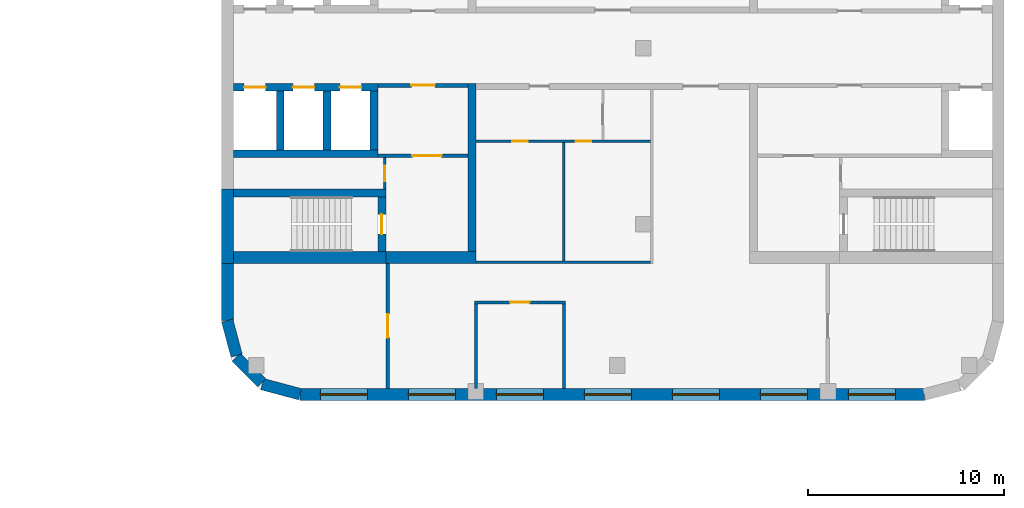
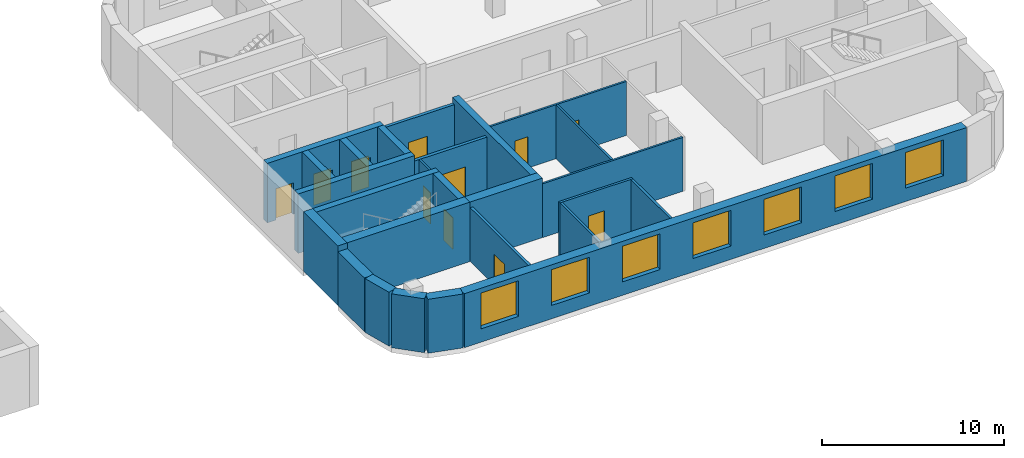
# One storey, part 7 of 16: 26 walls, 11 doors, 7 windows, 18 openings.
"""IFC4 building model written with IfcOpenShell, lengths in metres."""

from ifc_helpers import new_model, si_unit, direction, frame, frame_2d, origin, place, context, subcontext, project, spatial, rectangle, extrude, material, layer, layer_set, type_object, element, fill, save


model = new_model("IFC4")

# Units and contexts
model_context = context("Model", 3, precision=1e-05, world=origin(), true_north=direction((0.0, 1.0)))
body_context = subcontext(model_context, "Body", "Model", "MODEL_VIEW")
ifc_project = project(units=[si_unit("LENGTHUNIT", "METRE"), si_unit("AREAUNIT", "SQUARE_METRE"), si_unit("VOLUMEUNIT", "CUBIC_METRE"), si_unit("PLANEANGLEUNIT", "RADIAN"), si_unit("MASSUNIT", "GRAM", prefix="KILO")], contexts=[model_context])

# Site, building, storey
site_placement = place(None, origin())
site = spatial("IfcSite", under=ifc_project, at=site_placement, CompositionType="ELEMENT")
building_placement = place(site_placement, origin())
building = spatial("IfcBuilding", under=site, at=building_placement, Name="Skarvind Civic Tower", CompositionType="ELEMENT")
storey_placement = place(building_placement, frame((0.0, 0.0, 43.5)))
storey = spatial("IfcBuildingStorey", under=building, at=storey_placement, Name="L09", CompositionType="ELEMENT", Elevation=43.5)

# Wall, opening, door
ifc_material_1 = material(Name="Acoustic gypsum board on steel studs", Category="steel")
ifc_layer_1 = layer(ifc_material_1, 0.175048828125)
ifc_layer_set_1 = layer_set([ifc_layer_1], Name="ACOUSTIC MEETING-ROOM PARTITION 175")
wall_type_1 = type_object("IfcWallType", Name="ACOUSTIC MEETING-ROOM PARTITION 175", PredefinedType="PARTITIONING", material=ifc_layer_set_1)
wall_1_placement = place(storey_placement, frame((135.5, 117.0, 0.0), z_axis=(0.0, 0.0, 1.0), x_axis=(0.0, -1.0, 0.0)))
wall_1 = element("IfcWall", 1, at=wall_1_placement, inside=storey, type_object=wall_type_1, Name="Partition 09.001", PredefinedType="PARTITIONING", context=body_context, shape_type="SweptSolid", body=[
    extrude(rectangle(XDim=6.39990234375, YDim=0.175048828125, at=frame_2d((3.199951171875, 0.0))), origin(), (0.0, 0.0, 1.0), 3.625),
])
opening_1_placement = place(wall_1_placement, frame((2.60009765625, 0.0, 0.0)))
opening_1 = element("IfcOpeningElement", 2, at=opening_1_placement, cuts=wall_1, Name="Opening L09-D111", PredefinedType="OPENING", context=body_context, shape_type="SweptSolid", body=[
    extrude(rectangle(XDim=1.199951171875, YDim=2.10009765625, at=frame_2d((0.60009765625, 1.050048828125))), frame((0.0, 0.097412109375, 0.0), z_axis=(0.0, -1.0, 0.0), x_axis=(1.0, 0.0, 0.0)), (0.0, 0.0, 1.0), 0.195068359375),
])
ifc_material_2 = material(Name="Timber door leaf", Category="wood")
door_type_1 = type_object("IfcDoorType", Name="DOOR 1200X2100 DOUBLE TIMBER", OperationType="NOTDEFINED", PredefinedType="DOOR", material=ifc_material_2)
door_1_placement = place(opening_1_placement, origin())
door_1 = element("IfcDoor", 3, at=door_1_placement, inside=storey, type_object=door_type_1, Name="Door L09-D111", OperationType="DOUBLE_DOOR_SINGLE_SWING", OverallHeight=2.10009765625, OverallWidth=1.199951171875, PredefinedType="DOOR", context=body_context, shape_type="SweptSolid", body=[
    extrude(rectangle(XDim=1.199951171875, YDim=2.10009765625, at=frame_2d((0.60009765625, 1.050048828125))), frame((0.0, 0.02490234375, 0.0), z_axis=(0.0, -1.0, 0.0), x_axis=(1.0, 0.0, 0.0)), (0.0, 0.0, 1.0), 0.050048828125),
])
fill(opening_1, door_1)

ifc_material_3 = material(Name="Fire-rated masonry partition", Category="masonry")
ifc_layer_2 = layer(ifc_material_3, 0.199951171875)
ifc_layer_set_2 = layer_set([ifc_layer_2], Name="Core enclosure wall 200")
wall_type_2 = type_object("IfcWallType", Name="Core enclosure wall 200", PredefinedType="PARTITIONING", material=ifc_layer_set_2)
wall_2_placement = place(storey_placement, frame((139.60009765625, 126.10009765625, 0.0), z_axis=(0.0, 0.0, 1.0), x_axis=(-1.0, 0.0, 0.0)))
wall_2 = element("IfcWall", 4, at=wall_2_placement, inside=storey, type_object=wall_type_2, Name="Core wall CA", PredefinedType="PARTITIONING", context=body_context, shape_type="SweptSolid", body=[
    extrude(rectangle(XDim=4.60009765625, YDim=0.199951171875, at=frame_2d((2.300048828125, 0.0))), origin(), (0.0, 0.0, 1.0), 3.625),
])
opening_2_placement = place(wall_2_placement, frame((1.699951171875, 0.0, 0.0)))
opening_2 = element("IfcOpeningElement", 5, at=opening_2_placement, cuts=wall_2, Name="Opening D-L09-CA-10", PredefinedType="OPENING", context=body_context, shape_type="SweptSolid", body=[
    extrude(rectangle(XDim=1.199951171875, YDim=2.10009765625, at=frame_2d((0.60009765625, 1.050048828125))), frame((0.0, 0.10986328125, 0.0), z_axis=(0.0, -1.0, 0.0), x_axis=(1.0, 0.0, 0.0)), (0.0, 0.0, 1.0), 0.219970703125),
])
ifc_material_4 = material(Name="Fire-rated steel door", Category="steel")
door_type_2 = type_object("IfcDoorType", Name="Core lobby door 1200", OperationType="NOTDEFINED", PredefinedType="DOOR", material=ifc_material_4)
door_2_placement = place(opening_2_placement, origin())
door_2 = element("IfcDoor", 6, at=door_2_placement, inside=storey, type_object=door_type_2, Name="Fire door", OperationType="DOUBLE_DOOR_SINGLE_SWING", OverallHeight=2.10009765625, OverallWidth=1.199951171875, PredefinedType="DOOR", context=body_context, shape_type="SweptSolid", body=[
    extrude(rectangle(XDim=1.199951171875, YDim=2.10009765625, at=frame_2d((0.60009765625, 1.050048828125))), frame((0.0, 0.02490234375, 0.0), z_axis=(0.0, -1.0, 0.0), x_axis=(1.0, 0.0, 0.0)), (0.0, 0.0, 1.0), 0.050048828125),
])
fill(opening_2, door_2)

wall_3_placement = place(storey_placement, frame((139.60009765625, 122.5, 0.0), z_axis=(0.0, 0.0, 1.0), x_axis=(-1.0, 0.0, 0.0)))
wall_3 = element("IfcWall", 7, at=wall_3_placement, inside=storey, type_object=wall_type_2, Name="Core wall CA", PredefinedType="PARTITIONING", context=body_context, shape_type="SweptSolid", body=[
    extrude(rectangle(XDim=4.60009765625, YDim=0.199951171875, at=frame_2d((2.300048828125, 0.0))), origin(), (0.0, 0.0, 1.0), 3.625),
])
opening_3_placement = place(wall_3_placement, frame((1.35009765625, 0.0, 0.0)))
opening_3 = element("IfcOpeningElement", 8, at=opening_3_placement, cuts=wall_3, Name="Opening D-L09-CA-11", PredefinedType="OPENING", context=body_context, shape_type="SweptSolid", body=[
    extrude(rectangle(XDim=1.5, YDim=2.10009765625, at=frame_2d((0.75, 1.050048828125))), frame((0.0, 0.10986328125, 0.0), z_axis=(0.0, -1.0, 0.0), x_axis=(1.0, 0.0, 0.0)), (0.0, 0.0, 1.0), 0.219970703125),
])
door_type_3 = type_object("IfcDoorType", Name="Fire door 1500", OperationType="NOTDEFINED", PredefinedType="DOOR", material=ifc_material_4)
door_3_placement = place(opening_3_placement, origin())
door_3 = element("IfcDoor", 9, at=door_3_placement, inside=storey, type_object=door_type_3, Name="Fire door", OperationType="DOUBLE_DOOR_SINGLE_SWING", OverallHeight=2.10009765625, OverallWidth=1.5, PredefinedType="DOOR", context=body_context, shape_type="SweptSolid", body=[
    extrude(rectangle(XDim=1.5, YDim=2.10009765625, at=frame_2d((0.75, 1.050048828125))), frame((0.0, 0.02490234375, 0.0), z_axis=(0.0, -1.0, 0.0), x_axis=(1.0, 0.0, 0.0)), (0.0, 0.0, 1.0), 0.050048828125),
])
fill(opening_3, door_3)

# Wall
ifc_material_5 = material(Name="Concrete C80", Category="concrete")
ifc_layer_3 = layer(ifc_material_5, 0.39990234375)
ifc_layer_set_3 = layer_set([ifc_layer_3], Name="Core wall 400 C80")
wall_type_3 = type_object("IfcWallType", Name="Core wall 400 C80", PredefinedType="SHEAR", material=ifc_layer_set_3)
wall_4_placement = place(storey_placement, frame((127.60009765625, 120.60009765625, 0.0), z_axis=(0.0, 0.0, 1.0), x_axis=(1.0, 0.0, 0.0)))
element("IfcWall", 10, at=wall_4_placement, inside=storey, type_object=wall_type_3, Name="Core wall CA south stair inner L09", PredefinedType="SHEAR", context=body_context, shape_type="SweptSolid", body=[
    extrude(rectangle(XDim=7.7998046875, YDim=0.39990234375, at=frame_2d((3.89990234375, 0.0))), origin(), (0.0, 0.0, 1.0), 4.0),
])

# Wall, opening, door
wall_5_placement = place(storey_placement, frame((135.199951171875, 117.60009765625, 0.0), z_axis=(0.0, 0.0, 1.0), x_axis=(0.0, 1.0, 0.0)))
wall_5 = element("IfcWall", 11, at=wall_5_placement, inside=storey, type_object=wall_type_3, Name="Core wall CA south stair end L09", PredefinedType="SHEAR", context=body_context, shape_type="SweptSolid", body=[
    extrude(rectangle(XDim=2.7998046875, YDim=0.39990234375, at=frame_2d((1.39990234375, 0.0))), origin(), (0.0, 0.0, 1.0), 4.0),
])
opening_4_placement = place(wall_5_placement, frame((0.89990234375, 0.0, 0.0)))
opening_4 = element("IfcOpeningElement", 12, at=opening_4_placement, cuts=wall_5, Name="Opening D-L09-CA-12", PredefinedType="OPENING", context=body_context, shape_type="SweptSolid", body=[
    extrude(rectangle(XDim=1.0, YDim=2.10009765625, at=frame_2d((0.5, 1.050048828125))), frame((0.0, 0.2099609375, 0.0), z_axis=(0.0, -1.0, 0.0), x_axis=(1.0, 0.0, 0.0)), (0.0, 0.0, 1.0), 0.419921875),
])
door_type_4 = type_object("IfcDoorType", Name="Fire door 1000", OperationType="NOTDEFINED", PredefinedType="DOOR", material=ifc_material_4)
door_4_placement = place(opening_4_placement, origin())
door_4 = element("IfcDoor", 13, at=door_4_placement, inside=storey, type_object=door_type_4, Name="Fire door", OperationType="SINGLE_SWING_RIGHT", OverallHeight=2.10009765625, OverallWidth=1.0, PredefinedType="DOOR", context=body_context, shape_type="SweptSolid", body=[
    extrude(rectangle(XDim=1.0, YDim=2.10009765625, at=frame_2d((0.5, 1.050048828125))), frame((0.0, 0.02490234375, 0.0), z_axis=(0.0, -1.0, 0.0), x_axis=(1.0, 0.0, 0.0)), (0.0, 0.0, 1.0), 0.050048828125),
])
fill(opening_4, door_4)

# Wall, openings, doors
wall_6_placement = place(storey_placement, frame((127.60009765625, 126.0, 0.0), z_axis=(0.0, 0.0, 1.0), x_axis=(1.0, 0.0, 0.0)))
wall_6 = element("IfcWall", 14, at=wall_6_placement, inside=storey, type_object=wall_type_3, Name="Core wall CA south lift row front L09", PredefinedType="SHEAR", context=body_context, shape_type="SweptSolid", body=[
    extrude(rectangle(XDim=7.39990234375, YDim=0.39990234375, at=frame_2d((3.699951171875, 0.0))), origin(), (0.0, 0.0, 1.0), 4.0),
])
opening_5_placement = place(wall_6_placement, frame((0.550048828125, 0.0, 0.0)))
opening_5 = element("IfcOpeningElement", 15, at=opening_5_placement, cuts=wall_6, Name="Opening LD11304", PredefinedType="OPENING", context=body_context, shape_type="SweptSolid", body=[
    extrude(rectangle(XDim=1.10009765625, YDim=2.10009765625, at=frame_2d((0.550048828125, 1.050048828125))), frame((0.0, 0.2099609375, 0.0), z_axis=(0.0, -1.0, 0.0), x_axis=(1.0, 0.0, 0.0)), (0.0, 0.0, 1.0), 0.419921875),
])
opening_6_placement = place(wall_6_placement, frame((3.050048828125, 0.0, 0.0)))
opening_6 = element("IfcOpeningElement", 16, at=opening_6_placement, cuts=wall_6, Name="Opening LD11305", PredefinedType="OPENING", context=body_context, shape_type="SweptSolid", body=[
    extrude(rectangle(XDim=1.10009765625, YDim=2.10009765625, at=frame_2d((0.550048828125, 1.050048828125))), frame((0.0, 0.2099609375, 0.0), z_axis=(0.0, -1.0, 0.0), x_axis=(1.0, 0.0, 0.0)), (0.0, 0.0, 1.0), 0.419921875),
])
opening_7_placement = place(wall_6_placement, frame((5.449951171875, 0.0, 0.0)))
opening_7 = element("IfcOpeningElement", 17, at=opening_7_placement, cuts=wall_6, Name="Opening LD11306", PredefinedType="OPENING", context=body_context, shape_type="SweptSolid", body=[
    extrude(rectangle(XDim=1.10009765625, YDim=2.10009765625, at=frame_2d((0.550048828125, 1.050048828125))), frame((0.0, 0.2099609375, 0.0), z_axis=(0.0, -1.0, 0.0), x_axis=(1.0, 0.0, 0.0)), (0.0, 0.0, 1.0), 0.419921875),
])
ifc_material_6 = material(Name="Stainless steel landing door", Category="steel")
door_type_5 = type_object("IfcDoorType", Name="Lift landing door 1100", OperationType="DOUBLE_DOOR_SLIDING", PredefinedType="DOOR", material=ifc_material_6)
door_5_placement = place(opening_5_placement, origin())
door_5 = element("IfcDoor", 18, at=door_5_placement, inside=storey, type_object=door_type_5, Name="Lift landing door", OperationType="DOUBLE_DOOR_SLIDING", OverallHeight=2.10009765625, OverallWidth=1.10009765625, PredefinedType="DOOR", context=body_context, shape_type="SweptSolid", body=[
    extrude(rectangle(XDim=1.10009765625, YDim=2.10009765625, at=frame_2d((0.550048828125, 1.050048828125))), frame((0.0, 0.02490234375, 0.0), z_axis=(0.0, -1.0, 0.0), x_axis=(1.0, 0.0, 0.0)), (0.0, 0.0, 1.0), 0.050048828125),
])
fill(opening_5, door_5)
door_6_placement = place(opening_6_placement, origin())
door_6 = element("IfcDoor", 19, at=door_6_placement, inside=storey, type_object=door_type_5, Name="Lift landing door", OperationType="DOUBLE_DOOR_SLIDING", OverallHeight=2.10009765625, OverallWidth=1.10009765625, PredefinedType="DOOR", context=body_context, shape_type="SweptSolid", body=[
    extrude(rectangle(XDim=1.10009765625, YDim=2.10009765625, at=frame_2d((0.550048828125, 1.050048828125))), frame((0.0, 0.02490234375, 0.0), z_axis=(0.0, -1.0, 0.0), x_axis=(1.0, 0.0, 0.0)), (0.0, 0.0, 1.0), 0.050048828125),
])
fill(opening_6, door_6)
door_7_placement = place(opening_7_placement, origin())
door_7 = element("IfcDoor", 20, at=door_7_placement, inside=storey, type_object=door_type_5, Name="Lift landing door", OperationType="DOUBLE_DOOR_SLIDING", OverallHeight=2.10009765625, OverallWidth=1.10009765625, PredefinedType="DOOR", context=body_context, shape_type="SweptSolid", body=[
    extrude(rectangle(XDim=1.10009765625, YDim=2.10009765625, at=frame_2d((0.550048828125, 1.050048828125))), frame((0.0, 0.02490234375, 0.0), z_axis=(0.0, -1.0, 0.0), x_axis=(1.0, 0.0, 0.0)), (0.0, 0.0, 1.0), 0.050048828125),
])
fill(opening_7, door_7)

# Walls
wall_7_placement = place(storey_placement, frame((127.60009765625, 122.60009765625, 0.0), z_axis=(0.0, 0.0, 1.0), x_axis=(1.0, 0.0, 0.0)))
element("IfcWall", 21, at=wall_7_placement, inside=storey, type_object=wall_type_3, Name="Core wall CA south lift row back L09", PredefinedType="SHEAR", context=body_context, shape_type="SweptSolid", body=[
    extrude(rectangle(XDim=7.39990234375, YDim=0.39990234375, at=frame_2d((3.699951171875, 0.0))), origin(), (0.0, 0.0, 1.0), 4.0),
])
for number, where, z_axis, x_axis, name in (
    (22, (130.0, 122.800048828125, 0.0), (0.0, 0.0, 1.0), (0.0, 1.0, 0.0), "Core wall CA south lift row division 1 L09"),
    (23, (132.39990234375, 122.800048828125, 0.0), (0.0, 0.0, 1.0), (0.0, 1.0, 0.0), "Core wall CA south lift row division 2 L09"),
    (24, (134.800048828125, 122.800048828125, 0.0), (0.0, 0.0, 1.0), (0.0, 1.0, 0.0), "Core wall CA south lift row division 3 L09"),
):
    element("IfcWall", number, at=place(storey_placement, frame(where, z_axis=z_axis, x_axis=x_axis)), inside=storey, type_object=wall_type_3, Name=name, PredefinedType="SHEAR", context=body_context, shape_type="SweptSolid", body=[
        extrude(rectangle(XDim=3.0, YDim=0.39990234375, at=frame_2d((1.5, 0.0))), origin(), (0.0, 0.0, 1.0), 4.0),
    ])
wall_8_placement = place(storey_placement, frame((139.800048828125, 117.60009765625, 0.0), z_axis=(0.0, 0.0, 1.0), x_axis=(0.0, 1.0, 0.0)))
element("IfcWall", 25, at=wall_8_placement, inside=storey, type_object=wall_type_3, Name="Core wall CA south inner face L09", PredefinedType="SHEAR", context=body_context, shape_type="SweptSolid", body=[
    extrude(rectangle(XDim=8.599853515625, YDim=0.39990234375, at=frame_2d((4.2998046875, 0.0))), origin(), (0.0, 0.0, 1.0), 4.0),
])
ifc_layer_4 = layer(ifc_material_5, 0.60009765625)
ifc_layer_set_4 = layer_set([ifc_layer_4], Name="Core wall 600 C80")
wall_type_4 = type_object("IfcWallType", Name="Core wall 600 C80", PredefinedType="SHEAR", material=ifc_layer_set_4)
wall_9_placement = place(storey_placement, frame((127.300048828125, 117.0, 0.0), z_axis=(0.0, 0.0, 1.0), x_axis=(0.0, 1.0, 0.0)))
element("IfcWall", 26, at=wall_9_placement, inside=storey, type_object=wall_type_4, Name="Core wall CA tip at the south stair L09", PredefinedType="SHEAR", context=body_context, shape_type="SweptSolid", body=[
    extrude(rectangle(XDim=3.800048828125, YDim=0.60009765625, at=frame_2d((1.89990234375, 0.0))), origin(), (0.0, 0.0, 1.0), 4.0),
])
wall_10_placement = place(storey_placement, frame((127.60009765625, 117.300048828125, 0.0), z_axis=(0.0, 0.0, 1.0), x_axis=(1.0, 0.0, 0.0)))
element("IfcWall", 27, at=wall_10_placement, inside=storey, type_object=wall_type_4, Name="Core wall CA south side at the stair L09", PredefinedType="SHEAR", context=body_context, shape_type="SweptSolid", body=[
    extrude(rectangle(XDim=7.7998046875, YDim=0.60009765625, at=frame_2d((3.89990234375, 0.0))), origin(), (0.0, 0.0, 1.0), 4.0),
])
wall_11_placement = place(storey_placement, frame((135.39990234375, 117.300048828125, 0.0), z_axis=(0.0, 0.0, 1.0), x_axis=(1.0, 0.0, 0.0)))
element("IfcWall", 28, at=wall_11_placement, inside=storey, type_object=wall_type_4, Name="Core wall CA south side L09", PredefinedType="SHEAR", context=body_context, shape_type="SweptSolid", body=[
    extrude(rectangle(XDim=4.60009765625, YDim=0.60009765625, at=frame_2d((2.300048828125, 0.0))), origin(), (0.0, 0.0, 1.0), 4.0),
])
ifc_material_7 = material(Name="Plasterboard partition on steel studs", Category="steel")
ifc_layer_5 = layer(ifc_material_7, 0.14990234375)
ifc_layer_set_5 = layer_set([ifc_layer_5], Name="PARTITION 150")
wall_type_5 = type_object("IfcWallType", Name="PARTITION 150", PredefinedType="PARTITIONING", material=ifc_layer_set_5)
wall_12_placement = place(storey_placement, frame((140.0, 110.60009765625, 0.0), z_axis=(0.0, 0.0, 1.0), x_axis=(0.0, 1.0, 0.0)))
element("IfcWall", 29, at=wall_12_placement, inside=storey, type_object=wall_type_5, Name="Partition 09.003", PredefinedType="PARTITIONING", context=body_context, shape_type="SweptSolid", body=[
    extrude(rectangle(XDim=4.324951171875, YDim=0.14990234375, at=frame_2d((2.16259765625, 0.0))), origin(), (0.0, 0.0, 1.0), 3.625),
])

# Wall, opening, door
wall_13_placement = place(storey_placement, frame((139.925048828125, 115.0, 0.0), z_axis=(0.0, 0.0, 1.0), x_axis=(1.0, 0.0, 0.0)))
wall_13 = element("IfcWall", 30, at=wall_13_placement, inside=storey, type_object=wall_type_5, Name="Partition 09.004", PredefinedType="PARTITIONING", context=body_context, shape_type="SweptSolid", body=[
    extrude(rectangle(XDim=4.64990234375, YDim=0.14990234375, at=frame_2d((2.324951171875, 0.0))), origin(), (0.0, 0.0, 1.0), 3.625),
])
opening_8_placement = place(wall_13_placement, frame((1.824951171875, 0.0, 0.0)))
opening_8 = element("IfcOpeningElement", 31, at=opening_8_placement, cuts=wall_13, Name="Opening L09-D110", PredefinedType="OPENING", context=body_context, shape_type="SweptSolid", body=[
    extrude(rectangle(XDim=1.0, YDim=2.10009765625, at=frame_2d((0.5, 1.050048828125))), frame((0.0, 0.0849609375, 0.0), z_axis=(0.0, -1.0, 0.0), x_axis=(1.0, 0.0, 0.0)), (0.0, 0.0, 1.0), 0.169921875),
])
door_type_6 = type_object("IfcDoorType", Name="D1 1000x2100", OperationType="NOTDEFINED", PredefinedType="DOOR", material=ifc_material_2)
door_8_placement = place(opening_8_placement, origin())
door_8 = element("IfcDoor", 32, at=door_8_placement, inside=storey, type_object=door_type_6, Name="Door L09-D110", OperationType="SINGLE_SWING_LEFT", OverallHeight=2.10009765625, OverallWidth=1.0, PredefinedType="DOOR", context=body_context, shape_type="SweptSolid", body=[
    extrude(rectangle(XDim=1.0, YDim=2.10009765625, at=frame_2d((0.5, 1.050048828125))), frame((0.0, 0.02490234375, 0.0), z_axis=(0.0, -1.0, 0.0), x_axis=(1.0, 0.0, 0.0)), (0.0, 0.0, 1.0), 0.050048828125),
])
fill(opening_8, door_8)

# Wall
wall_14_placement = place(storey_placement, frame((144.5, 114.925048828125, 0.0), z_axis=(0.0, 0.0, 1.0), x_axis=(0.0, -1.0, 0.0)))
element("IfcWall", 33, at=wall_14_placement, inside=storey, type_object=wall_type_5, Name="Partition 09.009", PredefinedType="PARTITIONING", context=body_context, shape_type="SweptSolid", body=[
    extrude(rectangle(XDim=4.324951171875, YDim=0.14990234375, at=frame_2d((2.16259765625, 0.0))), origin(), (0.0, 0.0, 1.0), 3.625),
])

# Wall, opening, door
ifc_layer_6 = layer(ifc_material_3, 0.125)
ifc_layer_set_6 = layer_set([ifc_layer_6], Name="Riser wall 125")
wall_type_6 = type_object("IfcWallType", Name="Riser wall 125", PredefinedType="PARTITIONING", material=ifc_layer_set_6)
wall_15_placement = place(storey_placement, frame((135.33740234375, 122.39990234375, 0.0), z_axis=(0.0, 0.0, 1.0), x_axis=(0.0, -1.0, 0.0)))
wall_15 = element("IfcWall", 34, at=wall_15_placement, inside=storey, type_object=wall_type_6, Name="Core wall CA", PredefinedType="PARTITIONING", context=body_context, shape_type="SweptSolid", body=[
    extrude(rectangle(XDim=1.599853515625, YDim=0.125, at=frame_2d((0.7998046875, 0.0))), origin(), (0.0, 0.0, 1.0), 3.625),
])
opening_9_placement = place(wall_15_placement, frame((0.39990234375, 0.0, 0.0)))
opening_9 = element("IfcOpeningElement", 35, at=opening_9_placement, cuts=wall_15, Name="Opening D-L09-CA-13", PredefinedType="OPENING", context=body_context, shape_type="SweptSolid", body=[
    extrude(rectangle(XDim=0.800048828125, YDim=2.10009765625, at=frame_2d((0.39990234375, 1.050048828125))), frame((0.0, 0.072509765625, 0.0), z_axis=(0.0, -1.0, 0.0), x_axis=(1.0, 0.0, 0.0)), (0.0, 0.0, 1.0), 0.14501953125),
])
door_type_7 = type_object("IfcDoorType", Name="Core riser door 800", OperationType="NOTDEFINED", PredefinedType="DOOR", material=ifc_material_4)
door_9_placement = place(opening_9_placement, origin())
door_9 = element("IfcDoor", 36, at=door_9_placement, inside=storey, type_object=door_type_7, Name="Riser door", OperationType="SINGLE_SWING_LEFT", OverallHeight=2.10009765625, OverallWidth=0.800048828125, PredefinedType="DOOR", context=body_context, shape_type="SweptSolid", body=[
    extrude(rectangle(XDim=0.800048828125, YDim=2.10009765625, at=frame_2d((0.39990234375, 1.050048828125))), frame((0.0, 0.02490234375, 0.0), z_axis=(0.0, -1.0, 0.0), x_axis=(1.0, 0.0, 0.0)), (0.0, 0.0, 1.0), 0.050048828125),
])
fill(opening_9, door_9)

# Wall
ifc_material_8 = material(Name="Moisture-resistant gypsum board on steel studs", Category="steel")
ifc_layer_7 = layer(ifc_material_8, 0.125)
ifc_layer_set_7 = layer_set([ifc_layer_7], Name="WC PARTITION 125")
wall_type_7 = type_object("IfcWallType", Name="WC PARTITION 125", PredefinedType="PARTITIONING", material=ifc_layer_set_7)
wall_16_placement = place(storey_placement, frame((140.0, 117.050048828125, 0.0), z_axis=(0.0, 0.0, 1.0), x_axis=(1.0, 0.0, 0.0)))
element("IfcWall", 37, at=wall_16_placement, inside=storey, type_object=wall_type_7, Name="Partition 09.005", PredefinedType="PARTITIONING", context=body_context, shape_type="SweptSolid", body=[
    extrude(rectangle(XDim=8.93798828125, YDim=0.125, at=frame_2d((4.468994140625, 0.0))), origin(), (0.0, 0.0, 1.0), 3.625),
])

# Wall, openings, doors
wall_17_placement = place(storey_placement, frame((148.93798828125, 123.25, 0.0), z_axis=(0.0, 0.0, 1.0), x_axis=(-1.0, 0.0, 0.0)))
wall_17 = element("IfcWall", 38, at=wall_17_placement, inside=storey, type_object=wall_type_7, Name="Partition 09.006", PredefinedType="PARTITIONING", context=body_context, shape_type="SweptSolid", body=[
    extrude(rectangle(XDim=8.93798828125, YDim=0.125, at=frame_2d((4.468994140625, 0.0))), origin(), (0.0, 0.0, 1.0), 3.625),
])
opening_10_placement = place(wall_17_placement, frame((6.2880859375, 0.0, 0.0)))
opening_10 = element("IfcOpeningElement", 39, at=opening_10_placement, cuts=wall_17, Name="Opening L09-D107", PredefinedType="OPENING", context=body_context, shape_type="SweptSolid", body=[
    extrude(rectangle(XDim=0.800048828125, YDim=2.10009765625, at=frame_2d((0.39990234375, 1.050048828125))), frame((0.0, 0.072509765625, 0.0), z_axis=(0.0, -1.0, 0.0), x_axis=(1.0, 0.0, 0.0)), (0.0, 0.0, 1.0), 0.14501953125),
])
opening_11_placement = place(wall_17_placement, frame((3.03662109375, 0.0, 0.0)))
opening_11 = element("IfcOpeningElement", 40, at=opening_11_placement, cuts=wall_17, Name="Opening L09-D108", PredefinedType="OPENING", context=body_context, shape_type="SweptSolid", body=[
    extrude(rectangle(XDim=0.800048828125, YDim=2.10009765625, at=frame_2d((0.39990234375, 1.050048828125))), frame((0.0, 0.072509765625, 0.0), z_axis=(0.0, -1.0, 0.0), x_axis=(1.0, 0.0, 0.0)), (0.0, 0.0, 1.0), 0.14501953125),
])
door_type_8 = type_object("IfcDoorType", Name="DOOR 800X2100 TIMBER", OperationType="NOTDEFINED", PredefinedType="DOOR", material=ifc_material_2)
door_10_placement = place(opening_10_placement, origin())
door_10 = element("IfcDoor", 41, at=door_10_placement, inside=storey, type_object=door_type_8, Name="Door L09-D107", OperationType="SINGLE_SWING_RIGHT", OverallHeight=2.10009765625, OverallWidth=0.800048828125, PredefinedType="DOOR", context=body_context, shape_type="SweptSolid", body=[
    extrude(rectangle(XDim=0.800048828125, YDim=2.10009765625, at=frame_2d((0.39990234375, 1.050048828125))), frame((0.0, 0.02490234375, 0.0), z_axis=(0.0, -1.0, 0.0), x_axis=(1.0, 0.0, 0.0)), (0.0, 0.0, 1.0), 0.050048828125),
])
fill(opening_10, door_10)
door_11_placement = place(opening_11_placement, origin())
door_11 = element("IfcDoor", 42, at=door_11_placement, inside=storey, type_object=door_type_8, Name="Door L09-D108", OperationType="SINGLE_SWING_LEFT", OverallHeight=2.10009765625, OverallWidth=0.800048828125, PredefinedType="DOOR", context=body_context, shape_type="SweptSolid", body=[
    extrude(rectangle(XDim=0.800048828125, YDim=2.10009765625, at=frame_2d((0.39990234375, 1.050048828125))), frame((0.0, 0.02490234375, 0.0), z_axis=(0.0, -1.0, 0.0), x_axis=(1.0, 0.0, 0.0)), (0.0, 0.0, 1.0), 0.050048828125),
])
fill(opening_11, door_11)

# Walls
wall_18_placement = place(storey_placement, frame((144.5, 117.112060546875, 0.0), z_axis=(0.0, 0.0, 1.0), x_axis=(0.0, 1.0, 0.0)))
element("IfcWall", 43, at=wall_18_placement, inside=storey, type_object=wall_type_7, Name="Partition 09.010", PredefinedType="PARTITIONING", context=body_context, shape_type="SweptSolid", body=[
    extrude(rectangle(XDim=6.075927734375, YDim=0.125, at=frame_2d((3.0380859375, 0.0))), origin(), (0.0, 0.0, 1.0), 3.625),
])
ifc_material_9 = material(Name="Limestone masonry cladding on insulated backing", Category="masonry")
ifc_layer_8 = layer(ifc_material_9, 0.60009765625)
ifc_layer_set_8 = layer_set([ifc_layer_8], Name="WX1 STONE FACADE WALL 600")
wall_type_8 = type_object("IfcWallType", Name="WX1 STONE FACADE WALL 600", PredefinedType="SOLIDWALL", material=ifc_layer_set_8)
wall_19_placement = place(storey_placement, frame((127.300048828125, 114.070068359375, 0.0), z_axis=(0.0, 0.0, 1.0), x_axis=(0.0, 1.0, 0.0)))
element("IfcWall", 44, at=wall_19_placement, inside=storey, type_object=wall_type_8, Name="STONE FACADE WALL", PredefinedType="SOLIDWALL", context=body_context, shape_type="SweptSolid", body=[
    extrude(rectangle(XDim=2.909912109375, YDim=0.60009765625, at=frame_2d((1.455078125, 0.0))), origin(), (0.0, 0.0, 1.0), 3.625),
])
for number, where, z_axis, x_axis, name in (
    (45, (127.771240234375, 112.280517578125, 0.0), (0.0, 0.0, 1.0), (-0.258773254036, 0.965938094805, 0.0), "STONE FACADE WALL"),
    (46, (129.063720703125, 110.896484375, 0.0), (0.0, 0.0, 1.0), (-0.707106781187, 0.707106781187, 0.0), "STONE FACADE WALL"),
):
    element("IfcWall", number, at=place(storey_placement, frame(where, z_axis=z_axis, x_axis=x_axis)), inside=storey, type_object=wall_type_8, Name=name, PredefinedType="SOLIDWALL", context=body_context, shape_type="SweptSolid", body=[
        extrude(rectangle(XDim=1.860595703125, YDim=0.60009765625, at=frame_2d((0.93017578125, 0.0))), origin(), (0.0, 0.0, 1.0), 3.625),
    ])
wall_20_placement = place(storey_placement, frame((131.010009765625, 110.307861328125, 0.0), z_axis=(0.0, 0.0, 1.0), x_axis=(-0.965920269068, 0.258839784042, 0.0)))
element("IfcWall", 47, at=wall_20_placement, inside=storey, type_object=wall_type_8, Name="STONE FACADE WALL", PredefinedType="SOLIDWALL", context=body_context, shape_type="SweptSolid", body=[
    extrude(rectangle(XDim=2.00048828125, YDim=0.60009765625, at=frame_2d((1.000244140625, 0.0))), origin(), (0.0, 0.0, 1.0), 3.625),
])

# Wall, openings, windows
wall_21_placement = place(storey_placement, frame((162.929931640625, 110.300048828125, 0.0), z_axis=(0.0, 0.0, 1.0), x_axis=(-1.0, 0.0, 0.0)))
wall_21 = element("IfcWall", 48, at=wall_21_placement, inside=storey, type_object=wall_type_8, Name="STONE FACADE WALL", PredefinedType="SOLIDWALL", context=body_context, shape_type="SweptSolid", body=[
    extrude(rectangle(XDim=31.929931640625, YDim=0.60009765625, at=frame_2d((15.96484375, 0.0))), origin(), (0.0, 0.0, 1.0), 3.625),
])
opening_12_placement = place(wall_21_placement, frame((1.47998046875, 0.0, 0.89990234375)))
opening_12 = element("IfcOpeningElement", 49, at=opening_12_placement, cuts=wall_21, Name="Opening WN9", PredefinedType="OPENING", context=body_context, shape_type="SweptSolid", body=[
    extrude(rectangle(XDim=2.39990234375, YDim=2.39990234375, at=frame_2d((1.199951171875, 1.199951171875))), frame((0.0, 0.31005859375, 0.0), z_axis=(0.0, -1.0, 0.0), x_axis=(1.0, 0.0, 0.0)), (0.0, 0.0, 1.0), 0.6201171875),
])
opening_13_placement = place(wall_21_placement, frame((5.97998046875, 0.0, 0.89990234375)))
opening_13 = element("IfcOpeningElement", 50, at=opening_13_placement, cuts=wall_21, Name="Opening WN9", PredefinedType="OPENING", context=body_context, shape_type="SweptSolid", body=[
    extrude(rectangle(XDim=2.39990234375, YDim=2.39990234375, at=frame_2d((1.199951171875, 1.199951171875))), frame((0.0, 0.31005859375, 0.0), z_axis=(0.0, -1.0, 0.0), x_axis=(1.0, 0.0, 0.0)), (0.0, 0.0, 1.0), 0.6201171875),
])
opening_14_placement = place(wall_21_placement, frame((10.47998046875, 0.0, 0.89990234375)))
opening_14 = element("IfcOpeningElement", 51, at=opening_14_placement, cuts=wall_21, Name="Opening WN9", PredefinedType="OPENING", context=body_context, shape_type="SweptSolid", body=[
    extrude(rectangle(XDim=2.39990234375, YDim=2.39990234375, at=frame_2d((1.199951171875, 1.199951171875))), frame((0.0, 0.31005859375, 0.0), z_axis=(0.0, -1.0, 0.0), x_axis=(1.0, 0.0, 0.0)), (0.0, 0.0, 1.0), 0.6201171875),
])
opening_15_placement = place(wall_21_placement, frame((14.97998046875, 0.0, 0.89990234375)))
opening_15 = element("IfcOpeningElement", 52, at=opening_15_placement, cuts=wall_21, Name="Opening WN9", PredefinedType="OPENING", context=body_context, shape_type="SweptSolid", body=[
    extrude(rectangle(XDim=2.39990234375, YDim=2.39990234375, at=frame_2d((1.199951171875, 1.199951171875))), frame((0.0, 0.31005859375, 0.0), z_axis=(0.0, -1.0, 0.0), x_axis=(1.0, 0.0, 0.0)), (0.0, 0.0, 1.0), 0.6201171875),
])
opening_16_placement = place(wall_21_placement, frame((19.47998046875, 0.0, 0.89990234375)))
opening_16 = element("IfcOpeningElement", 53, at=opening_16_placement, cuts=wall_21, Name="Opening WN9", PredefinedType="OPENING", context=body_context, shape_type="SweptSolid", body=[
    extrude(rectangle(XDim=2.39990234375, YDim=2.39990234375, at=frame_2d((1.199951171875, 1.199951171875))), frame((0.0, 0.31005859375, 0.0), z_axis=(0.0, -1.0, 0.0), x_axis=(1.0, 0.0, 0.0)), (0.0, 0.0, 1.0), 0.6201171875),
])
opening_17_placement = place(wall_21_placement, frame((23.97998046875, 0.0, 0.89990234375)))
opening_17 = element("IfcOpeningElement", 54, at=opening_17_placement, cuts=wall_21, Name="Opening WN9", PredefinedType="OPENING", context=body_context, shape_type="SweptSolid", body=[
    extrude(rectangle(XDim=2.39990234375, YDim=2.39990234375, at=frame_2d((1.199951171875, 1.199951171875))), frame((0.0, 0.31005859375, 0.0), z_axis=(0.0, -1.0, 0.0), x_axis=(1.0, 0.0, 0.0)), (0.0, 0.0, 1.0), 0.6201171875),
])
opening_18_placement = place(wall_21_placement, frame((28.47998046875, 0.0, 0.89990234375)))
opening_18 = element("IfcOpeningElement", 55, at=opening_18_placement, cuts=wall_21, Name="Opening WN9", PredefinedType="OPENING", context=body_context, shape_type="SweptSolid", body=[
    extrude(rectangle(XDim=2.39990234375, YDim=2.39990234375, at=frame_2d((1.199951171875, 1.199951171875))), frame((0.0, 0.31005859375, 0.0), z_axis=(0.0, -1.0, 0.0), x_axis=(1.0, 0.0, 0.0)), (0.0, 0.0, 1.0), 0.6201171875),
])
ifc_material_10 = material(Name="Timber frame, double glazing, timber-lined reveal", Category="wood")
window_type = type_object("IfcWindowType", Name="WN9 COMPANION TOWER WINDOW 2400 x 2400", PartitioningType="SINGLE_PANEL", PredefinedType="WINDOW", material=ifc_material_10)
window_1_placement = place(opening_12_placement, origin())
window_1 = element("IfcWindow", 56, at=window_1_placement, inside=storey, type_object=window_type, Name="WN9 WINDOW", OverallHeight=2.39990234375, OverallWidth=2.39990234375, PartitioningType="SINGLE_PANEL", PredefinedType="WINDOW", context=body_context, shape_type="SweptSolid", body=[
    extrude(rectangle(XDim=2.39990234375, YDim=2.39990234375, at=frame_2d((1.199951171875, 1.199951171875))), frame((0.0, 0.030029296875, 0.0), z_axis=(0.0, -1.0, 0.0), x_axis=(1.0, 0.0, 0.0)), (0.0, 0.0, 1.0), 0.06005859375),
])
fill(opening_12, window_1)
window_2_placement = place(opening_13_placement, origin())
window_2 = element("IfcWindow", 57, at=window_2_placement, inside=storey, type_object=window_type, Name="WN9 WINDOW", OverallHeight=2.39990234375, OverallWidth=2.39990234375, PartitioningType="SINGLE_PANEL", PredefinedType="WINDOW", context=body_context, shape_type="SweptSolid", body=[
    extrude(rectangle(XDim=2.39990234375, YDim=2.39990234375, at=frame_2d((1.199951171875, 1.199951171875))), frame((0.0, 0.030029296875, 0.0), z_axis=(0.0, -1.0, 0.0), x_axis=(1.0, 0.0, 0.0)), (0.0, 0.0, 1.0), 0.06005859375),
])
fill(opening_13, window_2)
window_3_placement = place(opening_14_placement, origin())
window_3 = element("IfcWindow", 58, at=window_3_placement, inside=storey, type_object=window_type, Name="WN9 WINDOW", OverallHeight=2.39990234375, OverallWidth=2.39990234375, PartitioningType="SINGLE_PANEL", PredefinedType="WINDOW", context=body_context, shape_type="SweptSolid", body=[
    extrude(rectangle(XDim=2.39990234375, YDim=2.39990234375, at=frame_2d((1.199951171875, 1.199951171875))), frame((0.0, 0.030029296875, 0.0), z_axis=(0.0, -1.0, 0.0), x_axis=(1.0, 0.0, 0.0)), (0.0, 0.0, 1.0), 0.06005859375),
])
fill(opening_14, window_3)
window_4_placement = place(opening_15_placement, origin())
window_4 = element("IfcWindow", 59, at=window_4_placement, inside=storey, type_object=window_type, Name="WN9 WINDOW", OverallHeight=2.39990234375, OverallWidth=2.39990234375, PartitioningType="SINGLE_PANEL", PredefinedType="WINDOW", context=body_context, shape_type="SweptSolid", body=[
    extrude(rectangle(XDim=2.39990234375, YDim=2.39990234375, at=frame_2d((1.199951171875, 1.199951171875))), frame((0.0, 0.030029296875, 0.0), z_axis=(0.0, -1.0, 0.0), x_axis=(1.0, 0.0, 0.0)), (0.0, 0.0, 1.0), 0.06005859375),
])
fill(opening_15, window_4)
window_5_placement = place(opening_16_placement, origin())
window_5 = element("IfcWindow", 60, at=window_5_placement, inside=storey, type_object=window_type, Name="WN9 WINDOW", OverallHeight=2.39990234375, OverallWidth=2.39990234375, PartitioningType="SINGLE_PANEL", PredefinedType="WINDOW", context=body_context, shape_type="SweptSolid", body=[
    extrude(rectangle(XDim=2.39990234375, YDim=2.39990234375, at=frame_2d((1.199951171875, 1.199951171875))), frame((0.0, 0.030029296875, 0.0), z_axis=(0.0, -1.0, 0.0), x_axis=(1.0, 0.0, 0.0)), (0.0, 0.0, 1.0), 0.06005859375),
])
fill(opening_16, window_5)
window_6_placement = place(opening_17_placement, origin())
window_6 = element("IfcWindow", 61, at=window_6_placement, inside=storey, type_object=window_type, Name="WN9 WINDOW", OverallHeight=2.39990234375, OverallWidth=2.39990234375, PartitioningType="SINGLE_PANEL", PredefinedType="WINDOW", context=body_context, shape_type="SweptSolid", body=[
    extrude(rectangle(XDim=2.39990234375, YDim=2.39990234375, at=frame_2d((1.199951171875, 1.199951171875))), frame((0.0, 0.030029296875, 0.0), z_axis=(0.0, -1.0, 0.0), x_axis=(1.0, 0.0, 0.0)), (0.0, 0.0, 1.0), 0.06005859375),
])
fill(opening_17, window_6)
window_7_placement = place(opening_18_placement, origin())
window_7 = element("IfcWindow", 62, at=window_7_placement, inside=storey, type_object=window_type, Name="WN9 WINDOW", OverallHeight=2.39990234375, OverallWidth=2.39990234375, PartitioningType="SINGLE_PANEL", PredefinedType="WINDOW", context=body_context, shape_type="SweptSolid", body=[
    extrude(rectangle(XDim=2.39990234375, YDim=2.39990234375, at=frame_2d((1.199951171875, 1.199951171875))), frame((0.0, 0.030029296875, 0.0), z_axis=(0.0, -1.0, 0.0), x_axis=(1.0, 0.0, 0.0)), (0.0, 0.0, 1.0), 0.06005859375),
])
fill(opening_18, window_7)

save(model, "model.ifc")
